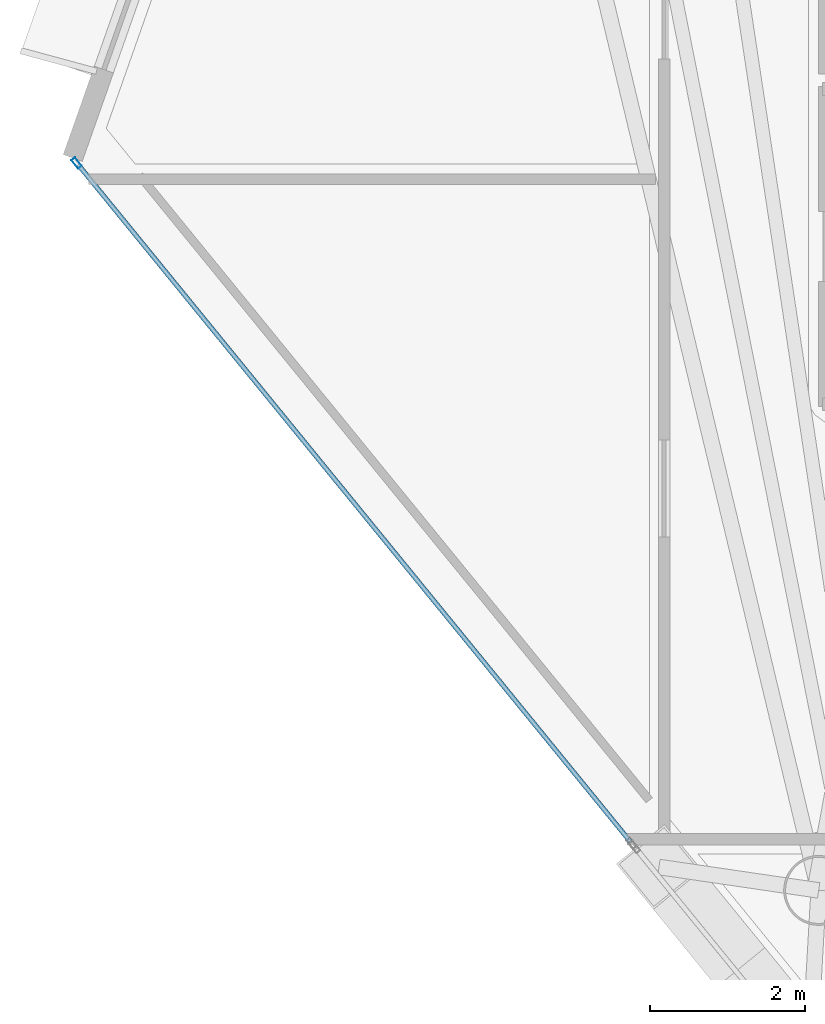
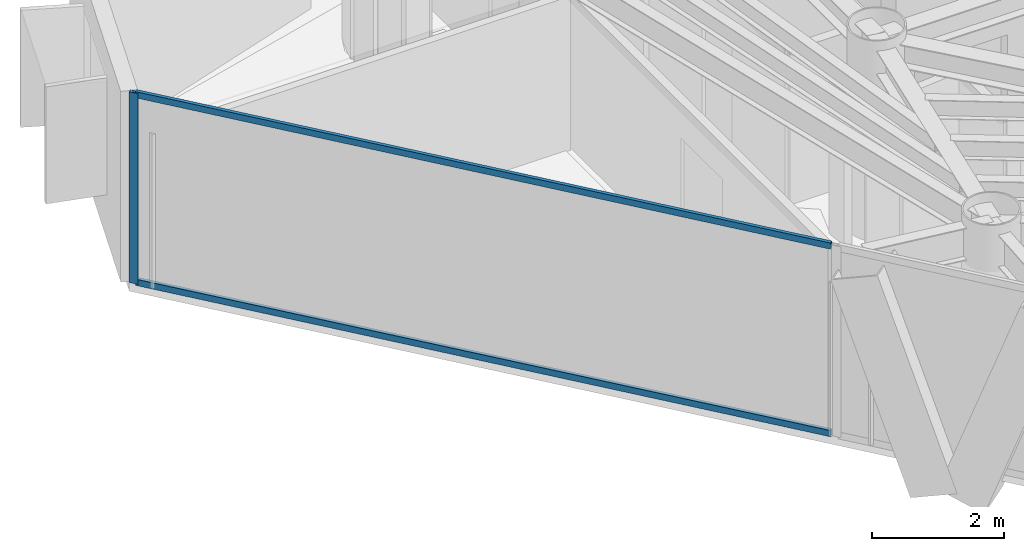
# One storey, part 6 of 23: 3 members, 1 element without a shape of its own.
"""IFC4 building model written with IfcOpenShell, lengths in metres."""

from ifc_helpers import new_model, si_unit, direction, frame, origin, origin_2d, place, context, subcontext, project, spatial, hollow_rectangle, extrude, material, layer, layer_set, material_profile, profile_set, type_object, element, aggregate, save


model = new_model("IFC4")

# Units and contexts
model_context = context("Model", 3, precision=1e-05, world=origin(), true_north=direction((0.0, 1.0)))
body_context = subcontext(model_context, "Body", "Model", "MODEL_VIEW")
ifc_project = project(units=[si_unit("LENGTHUNIT", "METRE"), si_unit("AREAUNIT", "SQUARE_METRE"), si_unit("VOLUMEUNIT", "CUBIC_METRE"), si_unit("PLANEANGLEUNIT", "RADIAN"), si_unit("MASSUNIT", "GRAM", prefix="KILO")], contexts=[model_context])

# Site, building, storey
site_placement = place(None, origin())
site = spatial("IfcSite", under=ifc_project, at=site_placement, CompositionType="ELEMENT")
building_placement = place(site_placement, origin())
building = spatial("IfcBuilding", under=site, at=building_placement, Name="Qianvela Tower", CompositionType="ELEMENT")
storey_placement = place(building_placement, frame((0.0, 0.0, 313.89990234375)))
storey = spatial("IfcBuildingStorey", under=building, at=storey_placement, Name="L81", CompositionType="ELEMENT", Elevation=313.89990234375)

# Curtain wall, members
ifc_material_1 = material(Name="Anodised Architectural Aluminium and Low-E Glass", Category="aluminium")
ifc_layer = layer(ifc_material_1, 0.14990234375)
ifc_layer_set = layer_set([ifc_layer], Name="Anodised Architectural Aluminium and Low-E Glass")
curtain_wall_type = type_object("IfcCurtainWallType", Name="CW-COLIV-Z78", PredefinedType="USERDEFINED", material=ifc_layer_set)
curtain_wall_placement = place(storey_placement, origin())
curtain_wall = element("IfcCurtainWall", 1, at=curtain_wall_placement, inside=storey, type_object=curtain_wall_type, Name="L81 CW-COLIV-Z78 Curtain Wall 04A", ObjectType="CURTAIN_WALL_SYSTEM", PredefinedType="USERDEFINED")
ifc_material_2 = material(Name="Anodised Architectural Aluminium 6063-T6", Category="aluminium")
ifc_material_profile_1 = material_profile(ifc_material_2, hollow_rectangle(XDim=0.06005859375, YDim=0.139892578125, WallThickness=0.00439453125, at=origin_2d()), Name="ALU-MULL-60x140")
ifc_profile_set_1 = profile_set([ifc_material_profile_1], Name="Anodised Architectural Aluminium 6063-T6")
member_type_1 = type_object("IfcMemberType", Name="CW-COLIV-Z78-MULL", PredefinedType="MULLION", material=ifc_profile_set_1)
member_1_placement = place(storey_placement, frame((18.11962890625, 28.138671875, 0.0), z_axis=(0.0, 0.0, 1.0), x_axis=(0.774943533353, 0.632030474039, 0.0)))
member_1 = element("IfcMember", 2, at=member_1_placement, type_object=member_type_1, Name="CW-6 mullion 1", PredefinedType="MULLION", context=body_context, shape_type="SweptSolid", body=[
    extrude(hollow_rectangle(XDim=0.06005859375, YDim=0.139892578125, WallThickness=0.00439453125, at=origin_2d()), origin(), (0.0, 0.0, 1.0), 3.52001953125),
])
ifc_material_3 = material(Name="Anodised Architectural Aluminium 6063-T6", Category="aluminium")
ifc_material_profile_2 = material_profile(ifc_material_3, hollow_rectangle(XDim=0.06005859375, YDim=0.114990234375, WallThickness=0.00390625, at=origin_2d()), Name="ALU-TRAN-60x115")
ifc_profile_set_2 = profile_set([ifc_material_profile_2], Name="Anodised Architectural Aluminium 6063-T6")
member_type_2 = type_object("IfcMemberType", Name="CW-COLIV-Z78-TRAN", PredefinedType="USERDEFINED", material=ifc_profile_set_2)
member_2_placement = place(storey_placement, frame((18.138671875, 28.115478515625, 0.030029296875), z_axis=(0.632025822958, -0.774947326671, 0.0), x_axis=(0.774947326671, 0.632025822958, 0.0)))
member_2 = element("IfcMember", 3, at=member_2_placement, type_object=member_type_2, Name="CW-6 transom 1.1", ObjectType="TRANSOM", PredefinedType="USERDEFINED", context=body_context, shape_type="SweptSolid", body=[
    extrude(hollow_rectangle(XDim=0.06005859375, YDim=0.114990234375, WallThickness=0.00390625, at=origin_2d()), origin(), (0.0, 0.0, 1.0), 11.239990234375),
])
member_3_placement = place(storey_placement, frame((18.138671875, 28.115478515625, 3.489990234375), z_axis=(0.632025822958, -0.774947326671, 0.0), x_axis=(0.774947326671, 0.632025822958, 0.0)))
member_3 = element("IfcMember", 4, at=member_3_placement, type_object=member_type_2, Name="CW-6 transom 1.2", ObjectType="TRANSOM", PredefinedType="USERDEFINED", context=body_context, shape_type="SweptSolid", body=[
    extrude(hollow_rectangle(XDim=0.06005859375, YDim=0.114990234375, WallThickness=0.00390625, at=origin_2d()), origin(), (0.0, 0.0, 1.0), 11.239990234375),
])
aggregate(curtain_wall, [member_1, member_2, member_3])

save(model, "model.ifc")
